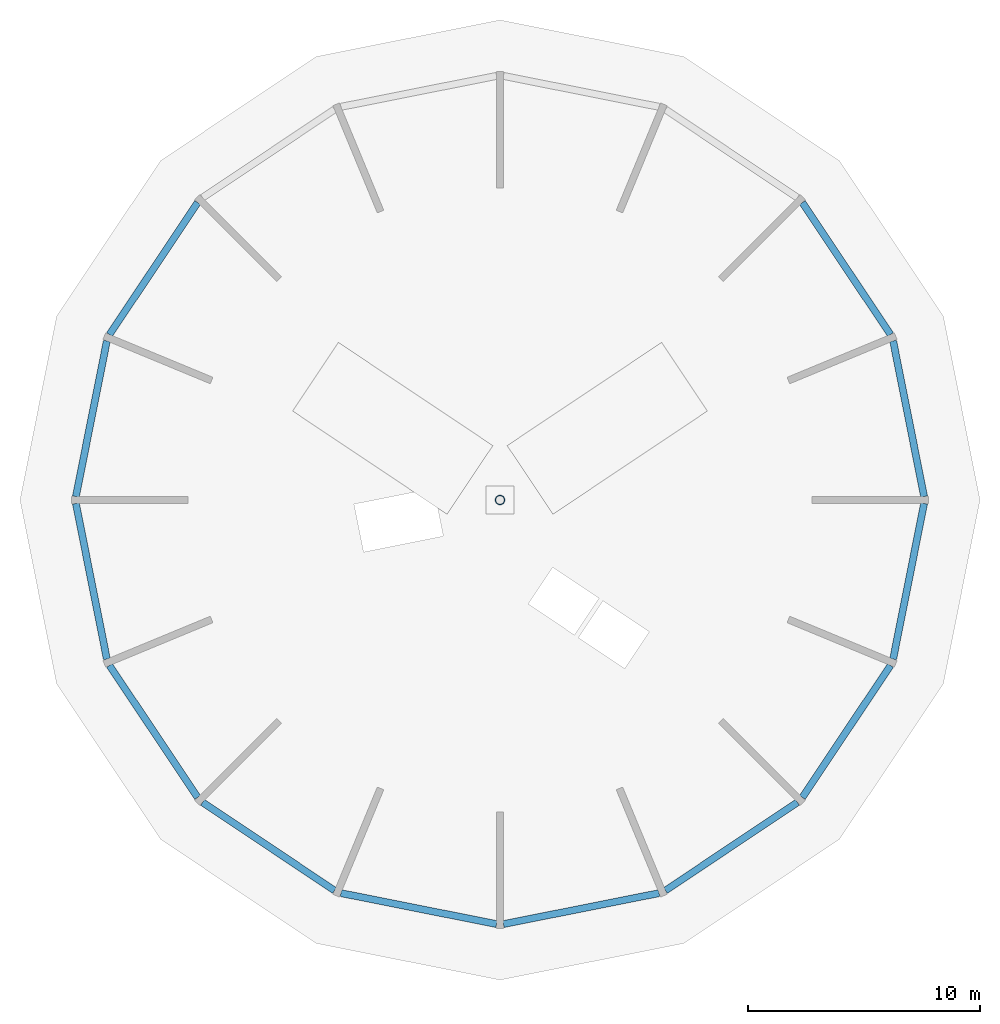
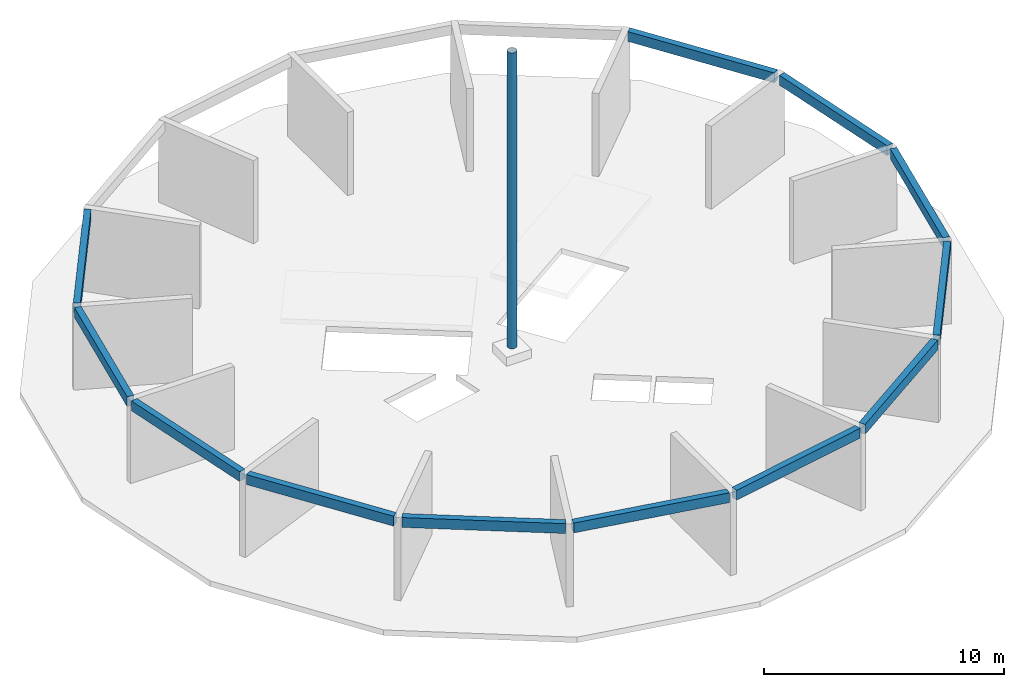
# One storey, part 1 of 2: 12 beams, 1 column.
"""IFC4 building model written with IfcOpenShell, lengths in metres."""

from ifc_helpers import new_model, si_unit, direction, frame, origin, origin_2d, place, context, subcontext, project, spatial, rectangle, hollow_circle, extrude, material, material_profile, profile_set, type_object, element, save


model = new_model("IFC4")

# Units and contexts
model_context = context("Model", 3, precision=1e-05, world=origin(), true_north=direction((0.0, 1.0)))
body_context = subcontext(model_context, "Body", "Model", "MODEL_VIEW")
ifc_project = project(units=[si_unit("LENGTHUNIT", "METRE"), si_unit("AREAUNIT", "SQUARE_METRE"), si_unit("VOLUMEUNIT", "CUBIC_METRE"), si_unit("PLANEANGLEUNIT", "RADIAN"), si_unit("MASSUNIT", "GRAM", prefix="KILO")], contexts=[model_context])

# Site, building, storey
site_placement = place(None, origin())
site = spatial("IfcSite", under=ifc_project, at=site_placement, CompositionType="ELEMENT")
building_placement = place(site_placement, origin())
building = spatial("IfcBuilding", under=site, at=building_placement, Name="Ceibo Conservatory and Research Tower", CompositionType="ELEMENT")
storey_placement = place(building_placement, frame((0.0, 0.0, 25.199951171875)))
storey = spatial("IfcBuildingStorey", under=building, at=storey_placement, Name="ROOF", CompositionType="ELEMENT", Elevation=25.199951171875)

# Column
ifc_material_1 = material(Name="Steel S355J2H", Category="steel")
ifc_material_profile_1 = material_profile(ifc_material_1, hollow_circle(Radius=0.203125, WallThickness=0.01611328125, at=origin_2d()), Name="CHS 406.4x16")
ifc_profile_set_1 = profile_set([ifc_material_profile_1], Name="Steel S355J2H")
column_type = type_object("IfcColumnType", Name="Beacon mast CHS 406.4x16", PredefinedType="COLUMN", material=ifc_profile_set_1)
column_placement = place(storey_placement, frame((48.0, 120.0, 0.449951171875), z_axis=(0.0, 0.0, 1.0), x_axis=(1.0, 0.0, 0.0)))
element("IfcColumn", 1, at=column_placement, inside=storey, type_object=column_type, Name="Beacon mast", PredefinedType="COLUMN", context=body_context, shape_type="SweptSolid", body=[
    extrude(hollow_circle(Radius=0.203125, WallThickness=0.01611328125, at=origin_2d()), origin(), (0.0, 0.0, 1.0), 15.050048828125),
])

# Beams
ifc_material_2 = material(Name="Concrete C35/45", Category="concrete")
ifc_material_profile_2 = material_profile(ifc_material_2, rectangle(XDim=0.300048828125, YDim=0.5, at=origin_2d()), Name="RC 300x500")
ifc_profile_set_2 = profile_set([ifc_material_profile_2], Name="Concrete C35/45")
beam_type = type_object("IfcBeamType", Name="RC beam 300x500 C35", PredefinedType="BEAM", material=ifc_profile_set_2)
for number, where, z_axis, x_axis, name in (
    (2, (66.270263671875, 120.14990234375, 3.969970703125), (-0.19511307124, 0.980780755027, 0.0), (-0.980780755027, -0.19511307124, 0.0), "Crown ring beam 01"),
    (3, (64.822021484375, 127.13037109375, 3.969970703125), (-0.555581939459, 0.831461790191, 0.0), (-0.831461790191, -0.555581939459, 0.0), "Crown ring beam 02"),
    (4, (34.97509765625, 132.81298828125, 3.969970703125), (-0.555581939459, -0.831461790191, 0.0), (0.831461790191, -0.555581939459, 0.0), "Crown ring beam 07"),
    (5, (31.063232421875, 126.85302734375, 3.969970703125), (-0.19511307124, -0.980780755027, 0.0), (0.980780755027, -0.19511307124, 0.0), "Crown ring beam 08"),
    (6, (29.729736328125, 119.85009765625, 3.969970703125), (0.19511307124, -0.980780755027, 0.0), (0.980780755027, 0.19511307124, 0.0), "Crown ring beam 09"),
    (7, (31.177978515625, 112.86962890625, 3.969970703125), (0.555581939459, -0.831461790191, 0.0), (0.831461790191, 0.555581939459, 0.0), "Crown ring beam 10"),
    (8, (35.18701171875, 106.97509765625, 3.969970703125), (0.831461790191, -0.555581939459, 0.0), (0.555581939459, 0.831461790191, 0.0), "Crown ring beam 11"),
    (9, (41.14697265625, 103.063232421875, 3.969970703125), (0.980780755027, -0.19511307124, 0.0), (0.19511307124, 0.980780755027, 0.0), "Crown ring beam 12"),
    (10, (48.14990234375, 101.729736328125, 3.969970703125), (0.980780755027, 0.19511307124, 0.0), (-0.19511307124, 0.980780755027, 0.0), "Crown ring beam 13"),
    (11, (55.13037109375, 103.177978515625, 3.969970703125), (0.831461790191, 0.555581939459, 0.0), (-0.555581939459, 0.831461790191, 0.0), "Crown ring beam 14"),
    (12, (61.02490234375, 107.18701171875, 3.969970703125), (0.555581939459, 0.831461790191, 0.0), (-0.831461790191, 0.555581939459, 0.0), "Crown ring beam 15"),
    (13, (64.936767578125, 113.14697265625, 3.969970703125), (0.19511307124, 0.980780755027, 0.0), (-0.980780755027, 0.19511307124, 0.0), "Crown ring beam 16"),
):
    element("IfcBeam", number, at=place(storey_placement, frame(where, z_axis=z_axis, x_axis=x_axis)), inside=storey, type_object=beam_type, Name=name, PredefinedType="BEAM", context=body_context, shape_type="SweptSolid", body=[
        extrude(rectangle(XDim=0.300048828125, YDim=0.5, at=origin_2d()), origin(), (0.0, 0.0, 1.0), 6.83447265625),
    ])

save(model, "model.ifc")
